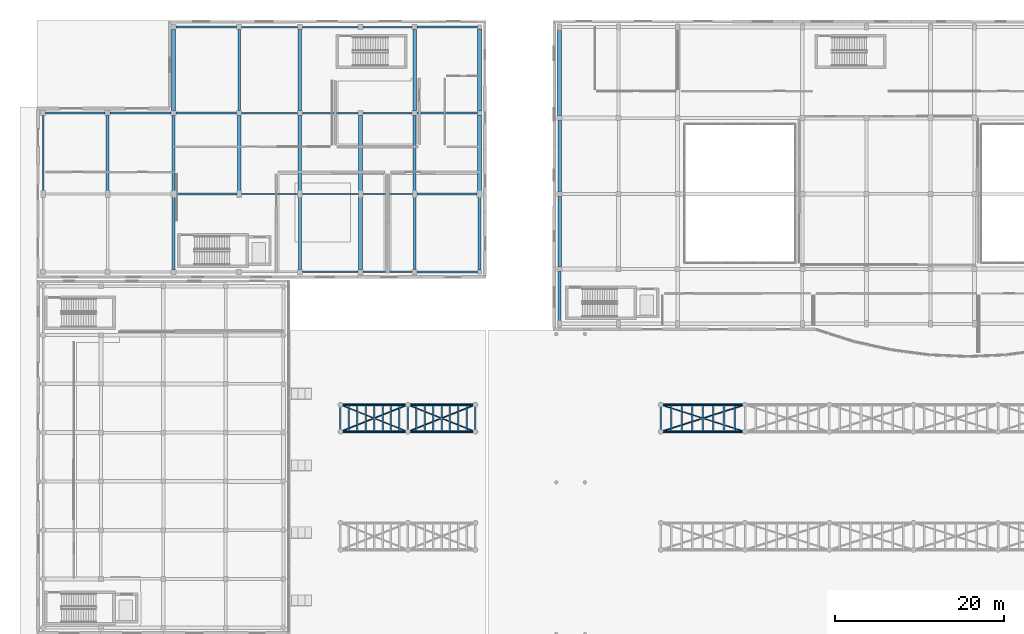
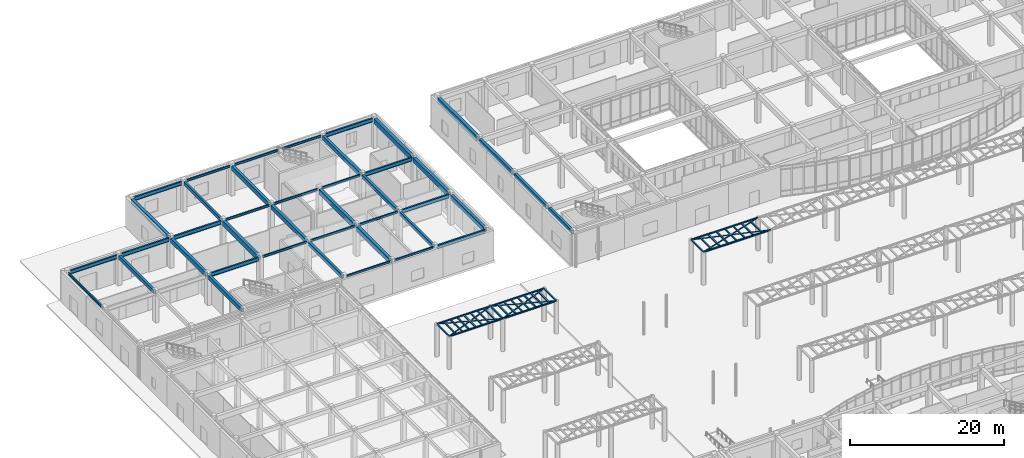
# One storey, part 43 of 121: 42 beams, 40 members.
"""IFC4 building model written with IfcOpenShell, lengths in metres."""

import ifcopenshell
import ifcopenshell.guid

model = None  # the IFC model being written
_history = None  # IfcOwnerHistory: only IFC2X3 demands one
_inside = {}  # id of a spatial element -> (the spatial element, [elements in it])
_under = {}  # id of a project, library or spatial element -> (it, [spatial elements below it])
_declared = {}  # id of a project -> (the project, [libraries it declares])
_typed = {}  # id of a type object -> (the type object, [elements of that type])
_made_of = {}  # id of a material, layer set ... -> (it, [elements and type objects made of it])


def new_model(schema):
    """Start an empty IFC model of exactly this schema.

    Asked for "IFC4X3", IfcOpenShell would pick the latest addendum, in which some entities
    have other attributes; the version numbers below select the first issue.
    IFC2X3 requires an IfcOwnerHistory on every rooted entity: one is made here for all.
    """
    global model, _history
    if schema == "IFC4X3":
        model = ifcopenshell.file(schema_version=(4, 3, 0, 0))
    else:
        model = ifcopenshell.file(schema=schema)
    _inside.clear()
    _under.clear()
    _declared.clear()
    _typed.clear()
    _made_of.clear()
    _history = None
    if model.schema == "IFC2X3":
        org = make("IfcOrganization", Name="unknown")
        user = make(
            "IfcPersonAndOrganization",
            ThePerson=make("IfcPerson", FamilyName="unknown"),
            TheOrganization=org,
        )
        app = make(
            "IfcApplication",
            ApplicationDeveloper=org,
            Version="unknown",
            ApplicationFullName="unknown",
            ApplicationIdentifier="unknown",
        )
        _history = make(
            "IfcOwnerHistory",
            OwningUser=user,
            OwningApplication=app,
            ChangeAction="ADDED",
            CreationDate=0,
        )
    return model


def make(cls, **values):
    """One entity of the class cls with the attributes given. An attribute that is None is left unset."""
    return model.create_entity(
        cls, **{name: value for name, value in values.items() if value is not None}
    )


def rooted(cls, **values):
    """An entity with a GlobalId (a new one), such as an element, a storey or a relation."""
    return make(cls, GlobalId=ifcopenshell.guid.new(), OwnerHistory=_history, **values)


def si_unit(unit_type, name, prefix=None):
    """IfcSIUnit, for example si_unit("LENGTHUNIT", "METRE", prefix="MILLI")."""
    return make("IfcSIUnit", UnitType=unit_type, Prefix=prefix, Name=name)


def assignment(units):
    """IfcUnitAssignment: the units of a project."""
    return None if units is None else make("IfcUnitAssignment", Units=units)


def point(xyz):
    """IfcCartesianPoint."""
    return None if xyz is None else make("IfcCartesianPoint", Coordinates=xyz)


def direction(xyz):
    """IfcDirection."""
    return None if xyz is None else make("IfcDirection", DirectionRatios=xyz)


def frame(location, z_axis=None, x_axis=None):
    """IfcAxis2Placement3D, a coordinate frame: its origin and axes. An axis left out is left unset."""
    return make(
        "IfcAxis2Placement3D",
        Location=point(location),
        Axis=direction(z_axis),
        RefDirection=direction(x_axis),
    )


def frame_2d(location, x_axis=None):
    """IfcAxis2Placement2D, a coordinate frame in the plane: its origin and x axis."""
    return make(
        "IfcAxis2Placement2D", Location=point(location), RefDirection=direction(x_axis)
    )


def origin():
    """The frame at (0, 0, 0) with its axes left unset."""
    return frame((0.0, 0.0, 0.0))


def origin_2d():
    """The frame at (0, 0) in the plane with its x axis left unset."""
    return frame_2d((0.0, 0.0))


def place(relative_to, where):
    """IfcLocalPlacement: puts the frame where relative to a parent placement (None: the world)."""
    return make(
        "IfcLocalPlacement", PlacementRelTo=relative_to, RelativePlacement=where
    )


def context(
    kind, dimensions, precision=None, world=None, true_north=None, identifier=None
):
    """IfcGeometricRepresentationContext, for example the 3D "Model" context."""
    return make(
        "IfcGeometricRepresentationContext",
        ContextIdentifier=identifier,
        ContextType=kind,
        CoordinateSpaceDimension=dimensions,
        Precision=precision,
        WorldCoordinateSystem=world,
        TrueNorth=true_north,
    )


def subcontext(parent, identifier, kind, view, scale=None):
    """IfcGeometricRepresentationSubContext, for example "Body" below "Model"."""
    return make(
        "IfcGeometricRepresentationSubContext",
        ContextIdentifier=identifier,
        ContextType=kind,
        ParentContext=parent,
        TargetScale=scale,
        TargetView=view,
    )


def project(units=None, contexts=None):
    """IfcProject with its units and contexts."""
    return rooted(
        "IfcProject",
        Name="project",
        RepresentationContexts=contexts,
        UnitsInContext=assignment(units),
    )


def spatial(cls, under=None, at=None, **own):
    """A site, building, storey or space (cls), placed at a placement, below another one or the project."""
    s = rooted(cls, ObjectPlacement=at, **own)
    if under is not None:
        _under.setdefault(under.id(), (under, []))[1].append(s)
    return s


def profile(cls, at=None, kind="AREA", **sizes):
    """A parametric profile (cls). Its sizes go by their IFC names, for example OverallWidth=200.0."""
    return make(cls, ProfileType=kind, Position=at, **sizes)


def rectangle(**sizes):
    """IfcRectangleProfileDef."""
    return profile("IfcRectangleProfileDef", **sizes)


def hollow_rectangle(**sizes):
    """IfcRectangleHollowProfileDef."""
    return profile("IfcRectangleHollowProfileDef", **sizes)


def hollow_circle(**sizes):
    """IfcCircleHollowProfileDef."""
    return profile("IfcCircleHollowProfileDef", **sizes)


def i_section(**sizes):
    """IfcIShapeProfileDef."""
    return profile("IfcIShapeProfileDef", **sizes)


def extrude(swept, where, along, depth):
    """IfcExtrudedAreaSolid: the profile swept, set in the frame where, extruded along a direction by depth."""
    return make(
        "IfcExtrudedAreaSolid",
        SweptArea=swept,
        Position=where,
        ExtrudedDirection=direction(along),
        Depth=depth,
    )


def shape(context_of_items, identifier, shape_type, items):
    """IfcShapeRepresentation: the items that make up one representation, for example the "Body"."""
    return make(
        "IfcShapeRepresentation",
        ContextOfItems=context_of_items,
        RepresentationIdentifier=identifier,
        RepresentationType=shape_type,
        Items=items,
    )


def material(Name=None, Category=None):
    """IfcMaterial."""
    return make("IfcMaterial", Name=Name, Category=Category)


def material_profile(
    of_material, cross_section, Name=None, Category=None, Priority=None
):
    """IfcMaterialProfile: a cross section and its material."""
    return make(
        "IfcMaterialProfile",
        Name=Name,
        Material=of_material,
        Profile=cross_section,
        Priority=Priority,
        Category=Category,
    )


def profile_set(profiles, Name=None, composite=None):
    """IfcMaterialProfileSet."""
    return make(
        "IfcMaterialProfileSet",
        Name=Name,
        MaterialProfiles=profiles,
        CompositeProfile=composite,
    )


def made_of(thing, what):
    """Note that an element or type object is made of a material, layer set ...; save() writes the relation."""
    if what is not None:
        _made_of.setdefault(what.id(), (what, []))[1].append(thing)
    return thing


def type_object(cls, material=None, **own):
    """A type object (cls), such as IfcWallType, which elements share."""
    return made_of(rooted(cls, **own), material)


def element(
    cls,
    number,
    at=None,
    inside=None,
    cuts=None,
    type_object=None,
    material=None,
    context=None,
    identifier="Body",
    shape_type=None,
    held_by="IfcProductDefinitionShape",
    body=None,
    shapes=None,
    **own,
):
    """One element of the class cls, such as IfcWall. Its Tag is "e" and its number.

    at: its placement. inside: the storey or other place that contains it. cuts: it is an
    opening in that element (IfcRelVoidsElement). A single representation is given by context,
    identifier, shape_type and body (its items); several are given by shapes. held_by: the class
    of the entity that holds the representations. save() writes the other relations.
    """
    e = rooted(cls, Tag="e%d" % number, ObjectPlacement=at, **own)
    if body is not None:
        shapes = [shape(context, identifier, shape_type, body)]
    if shapes is not None:
        e.Representation = make(held_by, Representations=shapes)
    if inside is not None:
        _inside.setdefault(inside.id(), (inside, []))[1].append(e)
    if cuts is not None:
        rooted(
            "IfcRelVoidsElement", RelatingBuildingElement=cuts, RelatedOpeningElement=e
        )
    if type_object is not None:
        _typed.setdefault(type_object.id(), (type_object, []))[1].append(e)
    return made_of(e, material)


def aggregate(whole, parts):
    """IfcRelAggregates: a whole, such as a stair, and the parts it consists of."""
    return rooted("IfcRelAggregates", RelatingObject=whole, RelatedObjects=parts)


def save(model, path):
    """Write the relations noted so far, then the file.

    IfcRelAggregates (storeys below a building ...), IfcRelContainedInSpatialStructure (elements
    in a storey), IfcRelDefinesByType, IfcRelAssociatesMaterial and IfcRelDeclares: one each for
    every whole, place, type object, material and project.
    """
    for whole, parts in _under.values():
        aggregate(whole, parts)
    for where, things in _inside.values():
        rooted(
            "IfcRelContainedInSpatialStructure",
            RelatedElements=things,
            RelatingStructure=where,
        )
    for kind, things in _typed.values():
        rooted("IfcRelDefinesByType", RelatedObjects=things, RelatingType=kind)
    for what, things in _made_of.values():
        rooted("IfcRelAssociatesMaterial", RelatedObjects=things, RelatingMaterial=what)
    for by, libraries in _declared.values():
        rooted("IfcRelDeclares", RelatingContext=by, RelatedDefinitions=libraries)
    model.write(path)


model = new_model("IFC4")

# Units and contexts
model_context = context("Model", 3, precision=1e-05, world=origin(), true_north=direction((0.0, 1.0)))
body_context = subcontext(model_context, "Body", "Model", "MODEL_VIEW")
ifc_project = project(units=[si_unit("LENGTHUNIT", "METRE"), si_unit("AREAUNIT", "SQUARE_METRE"), si_unit("VOLUMEUNIT", "CUBIC_METRE"), si_unit("PLANEANGLEUNIT", "RADIAN"), si_unit("MASSUNIT", "GRAM", prefix="KILO")], contexts=[model_context])

# Site, building, storey
site_placement = place(None, origin())
site = spatial("IfcSite", under=ifc_project, at=site_placement, CompositionType="ELEMENT")
building_placement = place(site_placement, origin())
building = spatial("IfcBuilding", under=site, at=building_placement, Name="Valcora Specialist Clinic", CompositionType="ELEMENT")
storey_placement = place(building_placement, origin())
storey = spatial("IfcBuildingStorey", under=building, at=storey_placement, Name="L00", CompositionType="ELEMENT", Elevation=0.0)

# Beams
ifc_material_1 = material(Name="Steel ASTM A992 Grade 50", Category="steel")
ifc_material_profile_1 = material_profile(ifc_material_1, i_section(OverallWidth=0.1708984375, OverallDepth=0.35595703125, WebThickness=0.008056640625, FlangeThickness=0.011962890625, at=origin_2d()), Name="ST-IR-360X170")
ifc_profile_set_1 = profile_set([ifc_material_profile_1], Name="Steel ASTM A992 Grade 50")
beam_type_1 = type_object("IfcBeamType", Name="TY-BM-IR360", PredefinedType="BEAM", material=ifc_profile_set_1)
beam_1_placement = place(storey_placement, frame((31.5, 80.949951171875, 4.60302734375), z_axis=(1.0, 0.0, 0.0), x_axis=(0.0, 1.0, 0.0)))
element("IfcBeam", 1, at=beam_1_placement, inside=storey, type_object=beam_type_1, Name="Beam BM-L00-0245", PredefinedType="BEAM", context=body_context, shape_type="SweptSolid", body=[
    extrude(i_section(OverallWidth=0.1708984375, OverallDepth=0.35595703125, WebThickness=0.008056640625, FlangeThickness=0.011962890625, at=origin_2d()), origin(), (0.0, 0.0, 1.0), 6.60009765625),
])
beam_2_placement = place(storey_placement, frame((38.699951171875, 80.949951171875, 4.60302734375), z_axis=(1.0, 0.0, 0.0), x_axis=(0.0, 1.0, 0.0)))
element("IfcBeam", 2, at=beam_2_placement, inside=storey, type_object=beam_type_1, Name="Beam BM-L00-0246", PredefinedType="BEAM", context=body_context, shape_type="SweptSolid", body=[
    extrude(i_section(OverallWidth=0.1708984375, OverallDepth=0.35595703125, WebThickness=0.008056640625, FlangeThickness=0.011962890625, at=origin_2d()), origin(), (0.0, 0.0, 1.0), 5.800048828125),
])
beam_3_placement = place(storey_placement, frame((24.27490234375, 90.199951171875, 4.60302734375), z_axis=(1.0, 0.0, 0.0), x_axis=(0.0, 1.0, 0.0)))
element("IfcBeam", 3, at=beam_3_placement, inside=storey, type_object=beam_type_1, Name="Beam BM-L00-0251", PredefinedType="BEAM", context=body_context, shape_type="SweptSolid", body=[
    extrude(i_section(OverallWidth=0.1708984375, OverallDepth=0.35595703125, WebThickness=0.008056640625, FlangeThickness=0.011962890625, at=origin_2d()), origin(), (0.0, 0.0, 1.0), 6.650146484375),
])
beam_4_placement = place(storey_placement, frame((31.47509765625, 90.199951171875, 4.60302734375), z_axis=(1.0, 0.0, 0.0), x_axis=(0.0, 1.0, 0.0)))
element("IfcBeam", 4, at=beam_4_placement, inside=storey, type_object=beam_type_1, Name="Beam BM-L00-0252", PredefinedType="BEAM", context=body_context, shape_type="SweptSolid", body=[
    extrude(i_section(OverallWidth=0.1708984375, OverallDepth=0.35595703125, WebThickness=0.008056640625, FlangeThickness=0.011962890625, at=origin_2d()), origin(), (0.0, 0.0, 1.0), 6.64990234375),
])
beam_5_placement = place(storey_placement, frame((38.675048828125, 90.199951171875, 4.60302734375), z_axis=(1.0, 0.0, 0.0), x_axis=(0.0, 1.0, 0.0)))
element("IfcBeam", 5, at=beam_5_placement, inside=storey, type_object=beam_type_1, Name="Beam BM-L00-0253", PredefinedType="BEAM", context=body_context, shape_type="SweptSolid", body=[
    extrude(i_section(OverallWidth=0.1708984375, OverallDepth=0.35595703125, WebThickness=0.008056640625, FlangeThickness=0.011962890625, at=origin_2d()), origin(), (0.0, 0.0, 1.0), 5.849853515625),
])
beam_6_placement = place(storey_placement, frame((24.300048828125, 99.800048828125, 4.60302734375), z_axis=(1.0, 0.0, 0.0), x_axis=(0.0, 1.0, 0.0)))
element("IfcBeam", 6, at=beam_6_placement, inside=storey, type_object=beam_type_1, Name="Beam BM-L00-0258", PredefinedType="BEAM", context=body_context, shape_type="SweptSolid", body=[
    extrude(i_section(OverallWidth=0.1708984375, OverallDepth=0.35595703125, WebThickness=0.008056640625, FlangeThickness=0.011962890625, at=origin_2d()), origin(), (0.0, 0.0, 1.0), 6.599853515625),
])
beam_7_placement = place(storey_placement, frame((31.5, 99.800048828125, 4.60302734375), z_axis=(1.0, 0.0, 0.0), x_axis=(0.0, 1.0, 0.0)))
element("IfcBeam", 7, at=beam_7_placement, inside=storey, type_object=beam_type_1, Name="Beam BM-L00-0259", PredefinedType="BEAM", context=body_context, shape_type="SweptSolid", body=[
    extrude(i_section(OverallWidth=0.1708984375, OverallDepth=0.35595703125, WebThickness=0.008056640625, FlangeThickness=0.011962890625, at=origin_2d()), origin(), (0.0, 0.0, 1.0), 6.60009765625),
])
beam_8_placement = place(storey_placement, frame((38.699951171875, 99.800048828125, 4.60302734375), z_axis=(1.0, 0.0, 0.0), x_axis=(0.0, 1.0, 0.0)))
element("IfcBeam", 8, at=beam_8_placement, inside=storey, type_object=beam_type_1, Name="Beam BM-L00-0260", PredefinedType="BEAM", context=body_context, shape_type="SweptSolid", body=[
    extrude(i_section(OverallWidth=0.1708984375, OverallDepth=0.35595703125, WebThickness=0.008056640625, FlangeThickness=0.011962890625, at=origin_2d()), origin(), (0.0, 0.0, 1.0), 5.800048828125),
])
beam_9_placement = place(storey_placement, frame((24.300048828125, 110.0, 4.60302734375), z_axis=(1.0, 0.0, 0.0), x_axis=(0.0, 1.0, 0.0)))
element("IfcBeam", 9, at=beam_9_placement, inside=storey, type_object=beam_type_1, Name="Beam BM-L00-0263", PredefinedType="BEAM", context=body_context, shape_type="SweptSolid", body=[
    extrude(i_section(OverallWidth=0.1708984375, OverallDepth=0.35595703125, WebThickness=0.008056640625, FlangeThickness=0.011962890625, at=origin_2d()), origin(), (0.0, 0.0, 1.0), 6.599853515625),
])
beam_10_placement = place(storey_placement, frame((31.5, 110.0, 4.60302734375), z_axis=(1.0, 0.0, 0.0), x_axis=(0.0, 1.0, 0.0)))
element("IfcBeam", 10, at=beam_10_placement, inside=storey, type_object=beam_type_1, Name="Beam BM-L00-0264", PredefinedType="BEAM", context=body_context, shape_type="SweptSolid", body=[
    extrude(i_section(OverallWidth=0.1708984375, OverallDepth=0.35595703125, WebThickness=0.008056640625, FlangeThickness=0.011962890625, at=origin_2d()), origin(), (0.0, 0.0, 1.0), 6.60009765625),
])
beam_11_placement = place(storey_placement, frame((38.699951171875, 110.0, 4.60302734375), z_axis=(1.0, 0.0, 0.0), x_axis=(0.0, 1.0, 0.0)))
element("IfcBeam", 11, at=beam_11_placement, inside=storey, type_object=beam_type_1, Name="Beam BM-L00-0265", PredefinedType="BEAM", context=body_context, shape_type="SweptSolid", body=[
    extrude(i_section(OverallWidth=0.1708984375, OverallDepth=0.35595703125, WebThickness=0.008056640625, FlangeThickness=0.011962890625, at=origin_2d()), origin(), (0.0, 0.0, 1.0), 5.800048828125),
])
ifc_material_profile_2 = material_profile(ifc_material_1, i_section(OverallWidth=0.177978515625, OverallDepth=0.406005859375, WebThickness=0.008056640625, FlangeThickness=0.012939453125, at=origin_2d()), Name="ST-IR-410X180")
ifc_profile_set_2 = profile_set([ifc_material_profile_2], Name="Steel ASTM A992 Grade 50")
beam_type_2 = type_object("IfcBeamType", Name="TY-BM-IR410", PredefinedType="SPANDREL", material=ifc_profile_set_2)
beam_12_placement = place(storey_placement, frame((0.75, 90.47509765625, 4.577880859375), z_axis=(0.0, 1.0, 0.0), x_axis=(-1.0, 0.0, 0.0)))
element("IfcBeam", 12, at=beam_12_placement, inside=storey, type_object=beam_type_2, Name="Beam BM-L00-0268", PredefinedType="SPANDREL", context=body_context, shape_type="SweptSolid", body=[
    extrude(i_section(OverallWidth=0.177978515625, OverallDepth=0.406005859375, WebThickness=0.008056640625, FlangeThickness=0.012939453125, at=origin_2d()), origin(), (0.0, 0.0, 1.0), 9.02490234375),
])
ifc_material_profile_3 = material_profile(ifc_material_1, i_section(OverallWidth=0.22900390625, OverallDepth=0.612060546875, WebThickness=0.011962890625, FlangeThickness=0.02001953125, at=origin_2d()), Name="ST-IR-610X229")
ifc_profile_set_3 = profile_set([ifc_material_profile_3], Name="Steel ASTM A992 Grade 50")
beam_type_3 = type_object("IfcBeamType", Name="TY-BM-IR610", PredefinedType="BEAM", material=ifc_profile_set_3)
beam_13_placement = place(storey_placement, frame((45.10009765625, 80.949951171875, 4.47509765625), z_axis=(1.0, 0.0, 0.0), x_axis=(0.0, 1.0, 0.0)))
element("IfcBeam", 13, at=beam_13_placement, inside=storey, type_object=beam_type_3, Name="Beam BM-L00-0247", PredefinedType="BEAM", context=body_context, shape_type="SweptSolid", body=[
    extrude(i_section(OverallWidth=0.22900390625, OverallDepth=0.612060546875, WebThickness=0.011962890625, FlangeThickness=0.02001953125, at=origin_2d()), origin(), (0.0, 0.0, 1.0), 7.14990234375),
])
beam_14_placement = place(storey_placement, frame((16.47509765625, 90.199951171875, 4.47509765625), z_axis=(1.0, 0.0, 0.0), x_axis=(0.0, 1.0, 0.0)))
element("IfcBeam", 14, at=beam_14_placement, inside=storey, type_object=beam_type_3, Name="Beam BM-L00-0250", PredefinedType="BEAM", context=body_context, shape_type="SweptSolid", body=[
    extrude(i_section(OverallWidth=0.22900390625, OverallDepth=0.612060546875, WebThickness=0.011962890625, FlangeThickness=0.02001953125, at=origin_2d()), origin(), (0.0, 0.0, 1.0), 7.25),
])
beam_15_placement = place(storey_placement, frame((45.074951171875, 90.199951171875, 4.47509765625), z_axis=(1.0, 0.0, 0.0), x_axis=(0.0, 1.0, 0.0)))
element("IfcBeam", 15, at=beam_15_placement, inside=storey, type_object=beam_type_3, Name="Beam BM-L00-0254", PredefinedType="BEAM", context=body_context, shape_type="SweptSolid", body=[
    extrude(i_section(OverallWidth=0.22900390625, OverallDepth=0.612060546875, WebThickness=0.011962890625, FlangeThickness=0.02001953125, at=origin_2d()), origin(), (0.0, 0.0, 1.0), 7.150146484375),
])
beam_16_placement = place(storey_placement, frame((1.050048828125, 99.800048828125, 4.47509765625), z_axis=(1.0, 0.0, 0.0), x_axis=(0.0, 1.0, 0.0)))
element("IfcBeam", 16, at=beam_16_placement, inside=storey, type_object=beam_type_3, Name="Beam BM-L00-0255", PredefinedType="BEAM", context=body_context, shape_type="SweptSolid", body=[
    extrude(i_section(OverallWidth=0.22900390625, OverallDepth=0.612060546875, WebThickness=0.011962890625, FlangeThickness=0.02001953125, at=origin_2d()), origin(), (0.0, 0.0, 1.0), 7.050048828125),
])
for number, where, z_axis, x_axis, name in (
    (17, (8.699951171875, 99.800048828125, 4.47509765625), (1.0, 0.0, 0.0), (0.0, 1.0, 0.0), "Beam BM-L00-0256"),
    (18, (16.5, 99.800048828125, 4.47509765625), (1.0, 0.0, 0.0), (0.0, 1.0, 0.0), "Beam BM-L00-0257"),
):
    element("IfcBeam", number, at=place(storey_placement, frame(where, z_axis=z_axis, x_axis=x_axis)), inside=storey, type_object=beam_type_3, Name=name, PredefinedType="BEAM", context=body_context, shape_type="SweptSolid", body=[
        extrude(i_section(OverallWidth=0.22900390625, OverallDepth=0.612060546875, WebThickness=0.011962890625, FlangeThickness=0.02001953125, at=origin_2d()), origin(), (0.0, 0.0, 1.0), 7.199951171875),
    ])
beam_17_placement = place(storey_placement, frame((45.10009765625, 99.800048828125, 4.47509765625), z_axis=(1.0, 0.0, 0.0), x_axis=(0.0, 1.0, 0.0)))
element("IfcBeam", 19, at=beam_17_placement, inside=storey, type_object=beam_type_3, Name="Beam BM-L00-0261", PredefinedType="BEAM", context=body_context, shape_type="SweptSolid", body=[
    extrude(i_section(OverallWidth=0.22900390625, OverallDepth=0.612060546875, WebThickness=0.011962890625, FlangeThickness=0.02001953125, at=origin_2d()), origin(), (0.0, 0.0, 1.0), 7.14990234375),
])
beam_18_placement = place(storey_placement, frame((16.5, 110.0, 4.47509765625), z_axis=(1.0, 0.0, 0.0), x_axis=(0.0, 1.0, 0.0)))
element("IfcBeam", 20, at=beam_18_placement, inside=storey, type_object=beam_type_3, Name="Beam BM-L00-0262", PredefinedType="BEAM", context=body_context, shape_type="SweptSolid", body=[
    extrude(i_section(OverallWidth=0.22900390625, OverallDepth=0.612060546875, WebThickness=0.011962890625, FlangeThickness=0.02001953125, at=origin_2d()), origin(), (0.0, 0.0, 1.0), 7.199951171875),
])
beam_19_placement = place(storey_placement, frame((45.10009765625, 110.0, 4.47509765625), z_axis=(1.0, 0.0, 0.0), x_axis=(0.0, 1.0, 0.0)))
element("IfcBeam", 21, at=beam_19_placement, inside=storey, type_object=beam_type_3, Name="Beam BM-L00-0266", PredefinedType="BEAM", context=body_context, shape_type="SweptSolid", body=[
    extrude(i_section(OverallWidth=0.22900390625, OverallDepth=0.612060546875, WebThickness=0.011962890625, FlangeThickness=0.02001953125, at=origin_2d()), origin(), (0.0, 0.0, 1.0), 7.14990234375),
])
ifc_material_2 = material(Name="Concrete C40/50", Category="concrete")
ifc_material_profile_4 = material_profile(ifc_material_2, rectangle(XDim=0.300048828125, YDim=0.550048828125, at=origin_2d()), Name="RC-BM-300X550")
ifc_profile_set_4 = profile_set([ifc_material_profile_4], Name="Concrete C40/50")
beam_type_4 = type_object("IfcBeamType", Name="TY-BM-RC300X550", PredefinedType="BEAM", material=ifc_profile_set_4)
beam_20_placement = place(storey_placement, frame((24.0, 100.10009765625, 4.510009765625), z_axis=(0.0, 1.0, 0.0), x_axis=(-1.0, 0.0, 0.0)))
element("IfcBeam", 22, at=beam_20_placement, inside=storey, type_object=beam_type_4, Name="Beam BM-L00-0275", PredefinedType="BEAM", context=body_context, shape_type="SweptSolid", body=[
    extrude(rectangle(XDim=0.300048828125, YDim=0.550048828125, at=origin_2d()), origin(), (0.0, 0.0, 1.0), 9.599853515625),
])
beam_21_placement = place(storey_placement, frame((44.800048828125, 81.25, 4.510009765625), z_axis=(0.0, 1.0, 0.0), x_axis=(-1.0, 0.0, 0.0)))
element("IfcBeam", 23, at=beam_21_placement, inside=storey, type_object=beam_type_4, Name="Beam BM-L00-0281", PredefinedType="BEAM", context=body_context, shape_type="SweptSolid", body=[
    extrude(rectangle(XDim=0.300048828125, YDim=0.550048828125, at=origin_2d()), origin(), (0.0, 0.0, 1.0), 8.675048828125),
])
ifc_material_profile_5 = material_profile(ifc_material_2, rectangle(XDim=0.35009765625, YDim=0.60009765625, at=origin_2d()), Name="RC-BM-350X600")
ifc_profile_set_5 = profile_set([ifc_material_profile_5], Name="Concrete C40/50")
beam_type_5 = type_object("IfcBeamType", Name="TY-BM-RC350X600", PredefinedType="BEAM", material=ifc_profile_set_5)
beam_22_placement = place(storey_placement, frame((8.39990234375, 90.47509765625, 4.485107421875), z_axis=(0.0, 1.0, 0.0), x_axis=(-1.0, 0.0, 0.0)))
element("IfcBeam", 24, at=beam_22_placement, inside=storey, type_object=beam_type_5, Name="Beam BM-L00-0270", PredefinedType="BEAM", context=body_context, shape_type="SweptSolid", body=[
    extrude(rectangle(XDim=0.35009765625, YDim=0.60009765625, at=origin_2d()), origin(), (0.0, 0.0, 1.0), 9.02490234375),
])
beam_23_placement = place(storey_placement, frame((31.199951171875, 81.25, 4.485107421875), z_axis=(0.0, 1.0, 0.0), x_axis=(-1.0, 0.0, 0.0)))
element("IfcBeam", 25, at=beam_23_placement, inside=storey, type_object=beam_type_5, Name="Beam BM-L00-0276", PredefinedType="BEAM", context=body_context, shape_type="SweptSolid", body=[
    extrude(rectangle(XDim=0.35009765625, YDim=0.60009765625, at=origin_2d()), origin(), (0.0, 0.0, 1.0), 8.675048828125),
])
beam_24_placement = place(storey_placement, frame((44.800048828125, 90.47509765625, 4.485107421875), z_axis=(0.0, 1.0, 0.0), x_axis=(-1.0, 0.0, 0.0)))
element("IfcBeam", 26, at=beam_24_placement, inside=storey, type_object=beam_type_5, Name="Beam BM-L00-0282", PredefinedType="BEAM", context=body_context, shape_type="SweptSolid", body=[
    extrude(rectangle(XDim=0.35009765625, YDim=0.60009765625, at=origin_2d()), origin(), (0.0, 0.0, 1.0), 9.02490234375),
])
beam_25_placement = place(storey_placement, frame((62.0, 75.050048828125, 4.510009765625), z_axis=(0.0, 1.0, 0.0), x_axis=(-1.0, 0.0, 0.0)))
element("IfcBeam", 27, at=beam_25_placement, inside=storey, type_object=beam_type_5, Name="Beam BM-L00-0576", PredefinedType="BEAM", context=body_context, shape_type="SweptSolid", body=[
    extrude(rectangle(XDim=0.35009765625, YDim=0.60009765625, at=origin_2d()), origin(), (0.0, 0.0, 1.0), 5.949951171875),
])
ifc_material_profile_6 = material_profile(ifc_material_2, rectangle(XDim=0.39990234375, YDim=0.64990234375, at=origin_2d()), Name="RC-BM-400X650")
ifc_profile_set_6 = profile_set([ifc_material_profile_6], Name="Concrete C40/50")
beam_type_6 = type_object("IfcBeamType", Name="TY-BM-RC400X650", PredefinedType="BEAM", material=ifc_profile_set_6)
beam_26_placement = place(storey_placement, frame((16.199951171875, 81.25, 4.4599609375), z_axis=(0.0, 1.0, 0.0), x_axis=(-1.0, 0.0, 0.0)))
element("IfcBeam", 28, at=beam_26_placement, inside=storey, type_object=beam_type_6, Name="Beam BM-L00-0271", PredefinedType="BEAM", context=body_context, shape_type="SweptSolid", body=[
    extrude(rectangle(XDim=0.39990234375, YDim=0.64990234375, at=origin_2d()), origin(), (0.0, 0.0, 1.0), 8.675048828125),
])
beam_27_placement = place(storey_placement, frame((31.199951171875, 90.47509765625, 4.4599609375), z_axis=(0.0, 1.0, 0.0), x_axis=(-1.0, 0.0, 0.0)))
element("IfcBeam", 29, at=beam_27_placement, inside=storey, type_object=beam_type_6, Name="Beam BM-L00-0277", PredefinedType="BEAM", context=body_context, shape_type="SweptSolid", body=[
    extrude(rectangle(XDim=0.39990234375, YDim=0.64990234375, at=origin_2d()), origin(), (0.0, 0.0, 1.0), 9.02490234375),
])
beam_28_placement = place(storey_placement, frame((44.800048828125, 100.10009765625, 4.4599609375), z_axis=(0.0, 1.0, 0.0), x_axis=(-1.0, 0.0, 0.0)))
element("IfcBeam", 30, at=beam_28_placement, inside=storey, type_object=beam_type_6, Name="Beam BM-L00-0283", PredefinedType="BEAM", context=body_context, shape_type="SweptSolid", body=[
    extrude(rectangle(XDim=0.39990234375, YDim=0.64990234375, at=origin_2d()), origin(), (0.0, 0.0, 1.0), 9.599853515625),
])
beam_29_placement = place(storey_placement, frame((62.0, 81.60009765625, 4.485107421875), z_axis=(0.0, 1.0, 0.0), x_axis=(-1.0, 0.0, 0.0)))
element("IfcBeam", 31, at=beam_29_placement, inside=storey, type_object=beam_type_6, Name="Beam BM-L00-0577", PredefinedType="BEAM", context=body_context, shape_type="SweptSolid", body=[
    extrude(rectangle(XDim=0.39990234375, YDim=0.64990234375, at=origin_2d()), origin(), (0.0, 0.0, 1.0), 8.2998046875),
])
ifc_material_profile_7 = material_profile(ifc_material_2, rectangle(XDim=0.39990234375, YDim=0.699951171875, at=origin_2d()), Name="RC-BM-400X700")
ifc_profile_set_7 = profile_set([ifc_material_profile_7], Name="Concrete C40/50")
beam_type_7 = type_object("IfcBeamType", Name="TY-BM-RC400X700", PredefinedType="BEAM", material=ifc_profile_set_7)
beam_30_placement = place(storey_placement, frame((16.199951171875, 90.47509765625, 4.43505859375), z_axis=(0.0, 1.0, 0.0), x_axis=(-1.0, 0.0, 0.0)))
element("IfcBeam", 32, at=beam_30_placement, inside=storey, type_object=beam_type_7, Name="Beam BM-L00-0272", PredefinedType="BEAM", context=body_context, shape_type="SweptSolid", body=[
    extrude(rectangle(XDim=0.39990234375, YDim=0.699951171875, at=origin_2d()), origin(), (0.0, 0.0, 1.0), 9.02490234375),
])
beam_31_placement = place(storey_placement, frame((31.199951171875, 100.10009765625, 4.43505859375), z_axis=(0.0, 1.0, 0.0), x_axis=(-1.0, 0.0, 0.0)))
element("IfcBeam", 33, at=beam_31_placement, inside=storey, type_object=beam_type_7, Name="Beam BM-L00-0278", PredefinedType="BEAM", context=body_context, shape_type="SweptSolid", body=[
    extrude(rectangle(XDim=0.39990234375, YDim=0.699951171875, at=origin_2d()), origin(), (0.0, 0.0, 1.0), 9.599853515625),
])
beam_32_placement = place(storey_placement, frame((52.5, 81.199951171875, 4.43505859375), z_axis=(0.0, 1.0, 0.0), x_axis=(-1.0, 0.0, 0.0)))
element("IfcBeam", 34, at=beam_32_placement, inside=storey, type_object=beam_type_7, Name="Beam BM-L00-0284", PredefinedType="BEAM", context=body_context, shape_type="SweptSolid", body=[
    extrude(rectangle(XDim=0.39990234375, YDim=0.699951171875, at=origin_2d()), origin(), (0.0, 0.0, 1.0), 8.72509765625),
])
beam_33_placement = place(storey_placement, frame((62.0, 90.5, 4.4599609375), z_axis=(0.0, 1.0, 0.0), x_axis=(-1.0, 0.0, 0.0)))
element("IfcBeam", 35, at=beam_33_placement, inside=storey, type_object=beam_type_7, Name="Beam BM-L00-0578", PredefinedType="BEAM", context=body_context, shape_type="SweptSolid", body=[
    extrude(rectangle(XDim=0.39990234375, YDim=0.699951171875, at=origin_2d()), origin(), (0.0, 0.0, 1.0), 8.39990234375),
])
ifc_material_profile_8 = material_profile(ifc_material_2, rectangle(XDim=0.449951171875, YDim=0.75, at=origin_2d()), Name="RC-BM-450X750")
ifc_profile_set_8 = profile_set([ifc_material_profile_8], Name="Concrete C40/50")
beam_type_8 = type_object("IfcBeamType", Name="TY-BM-RC450X750", PredefinedType="BEAM", material=ifc_profile_set_8)
beam_34_placement = place(storey_placement, frame((16.199951171875, 100.10009765625, 4.409912109375), z_axis=(0.0, 1.0, 0.0), x_axis=(-1.0, 0.0, 0.0)))
element("IfcBeam", 36, at=beam_34_placement, inside=storey, type_object=beam_type_8, Name="Beam BM-L00-0273", PredefinedType="BEAM", context=body_context, shape_type="SweptSolid", body=[
    extrude(rectangle(XDim=0.449951171875, YDim=0.75, at=origin_2d()), origin(), (0.0, 0.0, 1.0), 9.599853515625),
])
beam_35_placement = place(storey_placement, frame((38.39990234375, 81.25, 4.409912109375), z_axis=(0.0, 1.0, 0.0), x_axis=(-1.0, 0.0, 0.0)))
element("IfcBeam", 37, at=beam_35_placement, inside=storey, type_object=beam_type_8, Name="Beam BM-L00-0279", PredefinedType="BEAM", context=body_context, shape_type="SweptSolid", body=[
    extrude(rectangle(XDim=0.449951171875, YDim=0.75, at=origin_2d()), origin(), (0.0, 0.0, 1.0), 8.675048828125),
])
beam_36_placement = place(storey_placement, frame((52.5, 90.47509765625, 4.409912109375), z_axis=(0.0, 1.0, 0.0), x_axis=(-1.0, 0.0, 0.0)))
element("IfcBeam", 38, at=beam_36_placement, inside=storey, type_object=beam_type_8, Name="Beam BM-L00-0285", PredefinedType="BEAM", context=body_context, shape_type="SweptSolid", body=[
    extrude(rectangle(XDim=0.449951171875, YDim=0.75, at=origin_2d()), origin(), (0.0, 0.0, 1.0), 9.074951171875),
])
beam_37_placement = place(storey_placement, frame((62.0, 99.5, 4.43505859375), z_axis=(0.0, 1.0, 0.0), x_axis=(-1.0, 0.0, 0.0)))
element("IfcBeam", 39, at=beam_37_placement, inside=storey, type_object=beam_type_8, Name="Beam BM-L00-0579", PredefinedType="BEAM", context=body_context, shape_type="SweptSolid", body=[
    extrude(rectangle(XDim=0.449951171875, YDim=0.75, at=origin_2d()), origin(), (0.0, 0.0, 1.0), 10.25),
])
ifc_material_profile_9 = material_profile(ifc_material_2, rectangle(XDim=0.449951171875, YDim=0.800048828125, at=origin_2d()), Name="RC-BM-450X800")
ifc_profile_set_9 = profile_set([ifc_material_profile_9], Name="Concrete C40/50")
beam_type_9 = type_object("IfcBeamType", Name="TY-BM-RC450X800", PredefinedType="BEAM", material=ifc_profile_set_9)
for number, where, z_axis, x_axis, name in (
    (40, (24.0, 90.47509765625, 4.385009765625), (0.0, 1.0, 0.0), (-1.0, 0.0, 0.0), "Beam BM-L00-0274"),
    (41, (38.39990234375, 90.47509765625, 4.385009765625), (0.0, 1.0, 0.0), (-1.0, 0.0, 0.0), "Beam BM-L00-0280"),
):
    element("IfcBeam", number, at=place(storey_placement, frame(where, z_axis=z_axis, x_axis=x_axis)), inside=storey, type_object=beam_type_9, Name=name, PredefinedType="BEAM", context=body_context, shape_type="SweptSolid", body=[
        extrude(rectangle(XDim=0.449951171875, YDim=0.800048828125, at=origin_2d()), origin(), (0.0, 0.0, 1.0), 9.02490234375),
    ])
beam_38_placement = place(storey_placement, frame((52.5, 100.050048828125, 4.385009765625), z_axis=(0.0, 1.0, 0.0), x_axis=(-1.0, 0.0, 0.0)))
element("IfcBeam", 42, at=beam_38_placement, inside=storey, type_object=beam_type_9, Name="Beam BM-L00-0286", PredefinedType="BEAM", context=body_context, shape_type="SweptSolid", body=[
    extrude(rectangle(XDim=0.449951171875, YDim=0.800048828125, at=origin_2d()), origin(), (0.0, 0.0, 1.0), 9.699951171875),
])

# Members
ifc_material_3 = material(Name="Steel ASTM A500 Grade C", Category="steel")
ifc_material_profile_10 = material_profile(ifc_material_3, hollow_circle(Radius=0.1220703125, WallThickness=0.010009765625, at=origin_2d()), Name="ST-CHS-244X10")
ifc_profile_set_10 = profile_set([ifc_material_profile_10], Name="Steel ASTM A500 Grade C")
member_type_1 = type_object("IfcMemberType", Name="TY-MB-GSC244", PredefinedType="CHORD", material=ifc_profile_set_10)
for number, where, z_axis, x_axis, name in (
    (43, (36.0, 65.199951171875, 5.050048828125), (1.0, 0.0, 0.0), (0.0, 1.0, 0.0), "Garden pergola edge chord MB-L00-0961"),
    (44, (44.0, 65.199951171875, 5.050048828125), (1.0, 0.0, 0.0), (0.0, 1.0, 0.0), "Garden pergola edge chord MB-L00-0973"),
):
    element("IfcMember", number, at=place(storey_placement, frame(where, z_axis=z_axis, x_axis=x_axis)), inside=storey, type_object=member_type_1, Name=name, PredefinedType="CHORD", context=body_context, shape_type="SweptSolid", body=[
        extrude(hollow_circle(Radius=0.1220703125, WallThickness=0.010009765625, at=origin_2d()), origin(), (0.0, 0.0, 1.0), 8.0),
    ])
member_1_placement = place(storey_placement, frame((74.0, 65.199951171875, 5.050048828125), z_axis=(1.0, 0.0, 0.0), x_axis=(0.0, 1.0, 0.0)))
element("IfcMember", 45, at=member_1_placement, inside=storey, type_object=member_type_1, Name="Garden pergola edge chord MB-L00-0986", PredefinedType="CHORD", context=body_context, shape_type="SweptSolid", body=[
    extrude(hollow_circle(Radius=0.1220703125, WallThickness=0.010009765625, at=origin_2d()), origin(), (0.0, 0.0, 1.0), 10.0),
])
ifc_material_profile_11 = material_profile(ifc_material_3, hollow_circle(Radius=0.136474609375, WallThickness=0.011962890625, at=origin_2d()), Name="ST-CHS-273X12")
ifc_profile_set_11 = profile_set([ifc_material_profile_11], Name="Steel ASTM A500 Grade C")
member_type_2 = type_object("IfcMemberType", Name="TY-MB-GSC273", PredefinedType="CHORD", material=ifc_profile_set_11)
for number, where, z_axis, x_axis, name in (
    (46, (36.0, 62.0, 5.050048828125), (1.0, 0.0, 0.0), (0.0, 1.0, 0.0), "Garden pergola main chord MB-L00-0960"),
    (47, (44.0, 62.0, 5.050048828125), (1.0, 0.0, 0.0), (0.0, 1.0, 0.0), "Garden pergola main chord MB-L00-0972"),
):
    element("IfcMember", number, at=place(storey_placement, frame(where, z_axis=z_axis, x_axis=x_axis)), inside=storey, type_object=member_type_2, Name=name, PredefinedType="CHORD", context=body_context, shape_type="SweptSolid", body=[
        extrude(hollow_circle(Radius=0.136474609375, WallThickness=0.011962890625, at=origin_2d()), origin(), (0.0, 0.0, 1.0), 8.0),
    ])
member_2_placement = place(storey_placement, frame((74.0, 62.0, 5.050048828125), z_axis=(1.0, 0.0, 0.0), x_axis=(0.0, 1.0, 0.0)))
element("IfcMember", 48, at=member_2_placement, inside=storey, type_object=member_type_2, Name="Garden pergola main chord MB-L00-0985", PredefinedType="CHORD", context=body_context, shape_type="SweptSolid", body=[
    extrude(hollow_circle(Radius=0.136474609375, WallThickness=0.011962890625, at=origin_2d()), origin(), (0.0, 0.0, 1.0), 10.0),
])
ifc_material_profile_12 = material_profile(ifc_material_3, hollow_circle(Radius=0.070068359375, WallThickness=0.006103515625, at=origin_2d()), Name="ST-CHS-140X6")
ifc_profile_set_12 = profile_set([ifc_material_profile_12], Name="Steel ASTM A500 Grade C")
member_type_3 = type_object("IfcMemberType", Name="TY-MB-GSD140", PredefinedType="BRACE", material=ifc_profile_set_12)
for number, where, z_axis, x_axis, name in (
    (49, (36.0, 65.199951171875, 5.050048828125), (0.92848841534, -0.371361363875, 0.0), (0.371361363875, 0.92848841534, 0.0), "Garden pergola split counter brace A MB-L00-0963"),
    (50, (44.0, 65.199951171875, 5.050048828125), (0.92848841534, -0.371361363875, 0.0), (0.371361363875, 0.92848841534, 0.0), "Garden pergola split counter brace A MB-L00-0975"),
):
    element("IfcMember", number, at=place(storey_placement, frame(where, z_axis=z_axis, x_axis=x_axis)), inside=storey, type_object=member_type_3, Name=name, PredefinedType="BRACE", context=body_context, shape_type="SweptSolid", body=[
        extrude(hollow_circle(Radius=0.070068359375, WallThickness=0.006103515625, at=origin_2d()), origin(), (0.0, 0.0, 1.0), 4.30810546875),
    ])
member_3_placement = place(storey_placement, frame((74.0, 65.199951171875, 5.050048828125), z_axis=(0.952432246511, -0.304750415595, 0.0), x_axis=(0.304750415595, 0.952432246511, 0.0)))
element("IfcMember", 51, at=member_3_placement, inside=storey, type_object=member_type_3, Name="Garden pergola split counter brace A MB-L00-0988", PredefinedType="BRACE", context=body_context, shape_type="SweptSolid", body=[
    extrude(hollow_circle(Radius=0.070068359375, WallThickness=0.006103515625, at=origin_2d()), origin(), (0.0, 0.0, 1.0), 5.249755859375),
])
for number, where, z_axis, x_axis, name in (
    (52, (40.0, 63.60009765625, 5.050048828125), (0.928468874232, -0.37141021739, 0.0), (0.37141021739, 0.928468874232, 0.0), "Garden pergola split counter brace B 183"),
    (53, (48.0, 63.60009765625, 5.050048828125), (0.928468874232, -0.37141021739, 0.0), (0.37141021739, 0.928468874232, 0.0), "Garden pergola split counter brace B 184"),
):
    element("IfcMember", number, at=place(storey_placement, frame(where, z_axis=z_axis, x_axis=x_axis)), inside=storey, type_object=member_type_3, Name=name, PredefinedType="BRACE", context=body_context, shape_type="SweptSolid", body=[
        extrude(hollow_circle(Radius=0.070068359375, WallThickness=0.006103515625, at=origin_2d()), origin(), (0.0, 0.0, 1.0), 4.30810546875),
    ])
member_4_placement = place(storey_placement, frame((79.0, 63.60009765625, 5.050048828125), z_axis=(0.952418747361, -0.304792601084, 0.0), x_axis=(0.304792601084, 0.952418747361, 0.0)))
element("IfcMember", 54, at=member_4_placement, inside=storey, type_object=member_type_3, Name="Garden pergola split counter brace B 185", PredefinedType="BRACE", context=body_context, shape_type="SweptSolid", body=[
    extrude(hollow_circle(Radius=0.070068359375, WallThickness=0.006103515625, at=origin_2d()), origin(), (0.0, 0.0, 1.0), 5.249755859375),
])
ifc_material_profile_13 = material_profile(ifc_material_3, hollow_circle(Radius=0.083984375, WallThickness=0.008056640625, at=origin_2d()), Name="ST-CHS-168X8")
ifc_profile_set_13 = profile_set([ifc_material_profile_13], Name="Steel ASTM A500 Grade C")
member_type_4 = type_object("IfcMemberType", Name="TY-MB-GSD168", PredefinedType="BRACE", material=ifc_profile_set_13)
for number, where, z_axis, x_axis, name in (
    (55, (36.0, 62.0, 5.050048828125), (0.928478645005, 0.371385791018, 0.0), (-0.371385791018, 0.928478645005, 0.0), "Garden pergola plan brace MB-L00-0962"),
    (56, (44.0, 62.0, 5.050048828125), (0.928478645005, 0.371385791018, 0.0), (-0.371385791018, 0.928478645005, 0.0), "Garden pergola plan brace MB-L00-0974"),
):
    element("IfcMember", number, at=place(storey_placement, frame(where, z_axis=z_axis, x_axis=x_axis)), inside=storey, type_object=member_type_4, Name=name, PredefinedType="BRACE", context=body_context, shape_type="SweptSolid", body=[
        extrude(hollow_circle(Radius=0.083984375, WallThickness=0.008056640625, at=origin_2d()), origin(), (0.0, 0.0, 1.0), 8.6162109375),
    ])
member_5_placement = place(storey_placement, frame((74.0, 62.0, 5.050048828125), z_axis=(0.952425497122, 0.304771508564, 0.0), x_axis=(-0.304771508564, 0.952425497122, 0.0)))
element("IfcMember", 57, at=member_5_placement, inside=storey, type_object=member_type_4, Name="Garden pergola plan brace MB-L00-0987", PredefinedType="BRACE", context=body_context, shape_type="SweptSolid", body=[
    extrude(hollow_circle(Radius=0.083984375, WallThickness=0.008056640625, at=origin_2d()), origin(), (0.0, 0.0, 1.0), 10.49951171875),
])
ifc_material_profile_14 = material_profile(ifc_material_3, hollow_rectangle(XDim=0.179931640625, YDim=0.179931640625, WallThickness=0.008056640625, at=origin_2d()), Name="ST-RHS-180X180X8")
ifc_profile_set_14 = profile_set([ifc_material_profile_14], Name="Steel ASTM A500 Grade C")
member_type_5 = type_object("IfcMemberType", Name="TY-MB-PR180", PredefinedType="PURLIN", material=ifc_profile_set_14)
for number, where, z_axis, x_axis, name in (
    (58, (36.0, 62.0, 5.050048828125), (0.0, 1.0, 0.0), (-1.0, 0.0, 0.0), "Garden pergola purlin MB-L00-0964"),
    (59, (37.0, 62.0, 5.050048828125), (0.0, 1.0, 0.0), (-1.0, 0.0, 0.0), "Garden pergola purlin MB-L00-0965"),
    (60, (38.0, 62.0, 5.050048828125), (0.0, 1.0, 0.0), (-1.0, 0.0, 0.0), "Garden pergola purlin MB-L00-0966"),
    (61, (39.0, 62.0, 5.050048828125), (0.0, 1.0, 0.0), (-1.0, 0.0, 0.0), "Garden pergola purlin MB-L00-0967"),
    (62, (40.0, 62.0, 5.050048828125), (0.0, 1.0, 0.0), (-1.0, 0.0, 0.0), "Garden pergola purlin MB-L00-0968"),
    (63, (41.0, 62.0, 5.050048828125), (0.0, 1.0, 0.0), (-1.0, 0.0, 0.0), "Garden pergola purlin MB-L00-0969"),
    (64, (42.0, 62.0, 5.050048828125), (0.0, 1.0, 0.0), (-1.0, 0.0, 0.0), "Garden pergola purlin MB-L00-0970"),
    (65, (43.0, 62.0, 5.050048828125), (0.0, 1.0, 0.0), (-1.0, 0.0, 0.0), "Garden pergola purlin MB-L00-0971"),
    (66, (44.0, 62.0, 5.050048828125), (0.0, 1.0, 0.0), (-1.0, 0.0, 0.0), "Garden pergola purlin MB-L00-0976"),
    (67, (45.0, 62.0, 5.050048828125), (0.0, 1.0, 0.0), (-1.0, 0.0, 0.0), "Garden pergola purlin MB-L00-0977"),
    (68, (46.0, 62.0, 5.050048828125), (0.0, 1.0, 0.0), (-1.0, 0.0, 0.0), "Garden pergola purlin MB-L00-0978"),
    (69, (47.0, 62.0, 5.050048828125), (0.0, 1.0, 0.0), (-1.0, 0.0, 0.0), "Garden pergola purlin MB-L00-0979"),
    (70, (48.0, 62.0, 5.050048828125), (0.0, 1.0, 0.0), (-1.0, 0.0, 0.0), "Garden pergola purlin MB-L00-0980"),
    (71, (49.0, 62.0, 5.050048828125), (0.0, 1.0, 0.0), (-1.0, 0.0, 0.0), "Garden pergola purlin MB-L00-0981"),
    (72, (50.0, 62.0, 5.050048828125), (0.0, 1.0, 0.0), (-1.0, 0.0, 0.0), "Garden pergola purlin MB-L00-0982"),
    (73, (51.0, 62.0, 5.050048828125), (0.0, 1.0, 0.0), (-1.0, 0.0, 0.0), "Garden pergola purlin MB-L00-0983"),
    (74, (52.0, 62.0, 5.050048828125), (0.0, 1.0, 0.0), (-1.0, 0.0, 0.0), "Garden pergola purlin MB-L00-0984"),
    (75, (74.0, 62.0, 5.050048828125), (0.0, 1.0, 0.0), (-1.0, 0.0, 0.0), "Garden pergola purlin MB-L00-0989"),
    (76, (75.25, 62.0, 5.050048828125), (0.0, 1.0, 0.0), (-1.0, 0.0, 0.0), "Garden pergola purlin MB-L00-0990"),
    (77, (76.5, 62.0, 5.050048828125), (0.0, 1.0, 0.0), (-1.0, 0.0, 0.0), "Garden pergola purlin MB-L00-0991"),
    (78, (77.75, 62.0, 5.050048828125), (0.0, 1.0, 0.0), (-1.0, 0.0, 0.0), "Garden pergola purlin MB-L00-0992"),
    (79, (79.0, 62.0, 5.050048828125), (0.0, 1.0, 0.0), (-1.0, 0.0, 0.0), "Garden pergola purlin MB-L00-0993"),
    (80, (80.25, 62.0, 5.050048828125), (0.0, 1.0, 0.0), (-1.0, 0.0, 0.0), "Garden pergola purlin MB-L00-0994"),
    (81, (81.5, 62.0, 5.050048828125), (0.0, 1.0, 0.0), (-1.0, 0.0, 0.0), "Garden pergola purlin MB-L00-0995"),
    (82, (82.75, 62.0, 5.050048828125), (0.0, 1.0, 0.0), (-1.0, 0.0, 0.0), "Garden pergola purlin MB-L00-0996"),
):
    element("IfcMember", number, at=place(storey_placement, frame(where, z_axis=z_axis, x_axis=x_axis)), inside=storey, type_object=member_type_5, Name=name, PredefinedType="PURLIN", context=body_context, shape_type="SweptSolid", body=[
        extrude(hollow_rectangle(XDim=0.179931640625, YDim=0.179931640625, WallThickness=0.008056640625, at=origin_2d()), origin(), (0.0, 0.0, 1.0), 3.199951171875),
    ])

save(model, "model.ifc")
